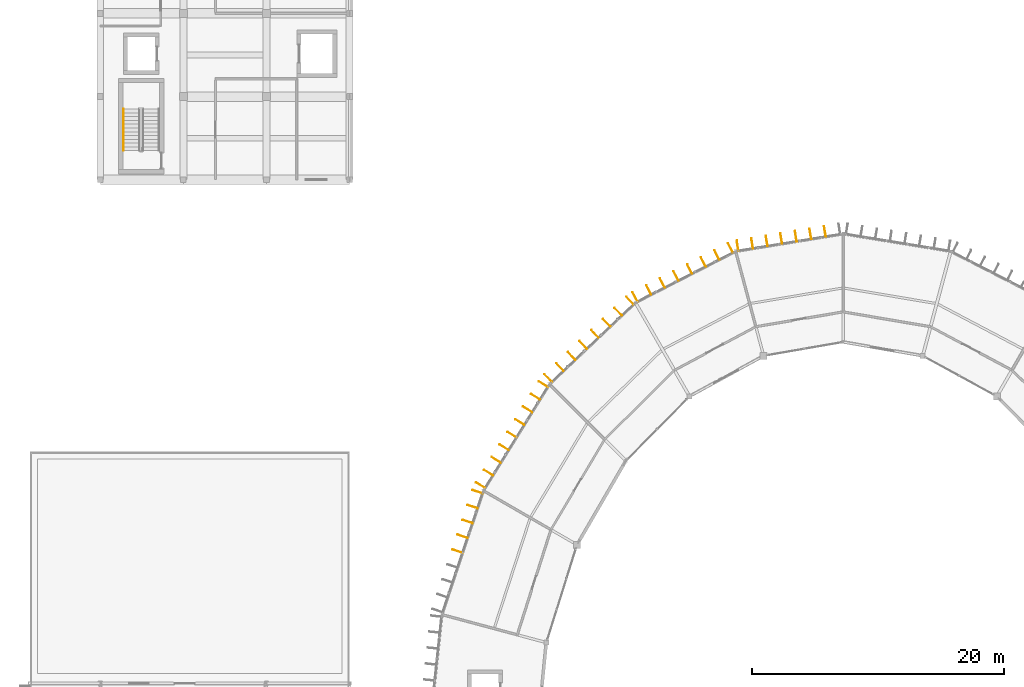
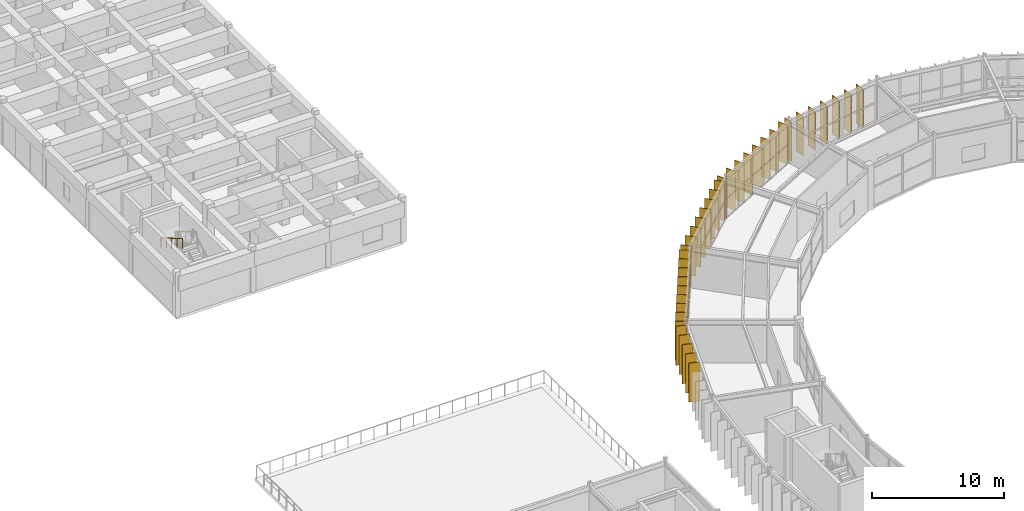
# One storey, part 126 of 130: 37 shading devices, 1 railing.
"""IFC4 building model written with IfcOpenShell, lengths in metres."""

import ifcopenshell
import ifcopenshell.guid

model = None  # the IFC model being written
_history = None  # IfcOwnerHistory: only IFC2X3 demands one
_inside = {}  # id of a spatial element -> (the spatial element, [elements in it])
_under = {}  # id of a project, library or spatial element -> (it, [spatial elements below it])
_declared = {}  # id of a project -> (the project, [libraries it declares])
_typed = {}  # id of a type object -> (the type object, [elements of that type])
_made_of = {}  # id of a material, layer set ... -> (it, [elements and type objects made of it])


def new_model(schema):
    """Start an empty IFC model of exactly this schema.

    Asked for "IFC4X3", IfcOpenShell would pick the latest addendum, in which some entities
    have other attributes; the version numbers below select the first issue.
    IFC2X3 requires an IfcOwnerHistory on every rooted entity: one is made here for all.
    """
    global model, _history
    if schema == "IFC4X3":
        model = ifcopenshell.file(schema_version=(4, 3, 0, 0))
    else:
        model = ifcopenshell.file(schema=schema)
    _inside.clear()
    _under.clear()
    _declared.clear()
    _typed.clear()
    _made_of.clear()
    _history = None
    if model.schema == "IFC2X3":
        org = make("IfcOrganization", Name="unknown")
        user = make(
            "IfcPersonAndOrganization",
            ThePerson=make("IfcPerson", FamilyName="unknown"),
            TheOrganization=org,
        )
        app = make(
            "IfcApplication",
            ApplicationDeveloper=org,
            Version="unknown",
            ApplicationFullName="unknown",
            ApplicationIdentifier="unknown",
        )
        _history = make(
            "IfcOwnerHistory",
            OwningUser=user,
            OwningApplication=app,
            ChangeAction="ADDED",
            CreationDate=0,
        )
    return model


def make(cls, **values):
    """One entity of the class cls with the attributes given. An attribute that is None is left unset."""
    return model.create_entity(
        cls, **{name: value for name, value in values.items() if value is not None}
    )


def rooted(cls, **values):
    """An entity with a GlobalId (a new one), such as an element, a storey or a relation."""
    return make(cls, GlobalId=ifcopenshell.guid.new(), OwnerHistory=_history, **values)


def si_unit(unit_type, name, prefix=None):
    """IfcSIUnit, for example si_unit("LENGTHUNIT", "METRE", prefix="MILLI")."""
    return make("IfcSIUnit", UnitType=unit_type, Prefix=prefix, Name=name)


def assignment(units):
    """IfcUnitAssignment: the units of a project."""
    return None if units is None else make("IfcUnitAssignment", Units=units)


def point(xyz):
    """IfcCartesianPoint."""
    return None if xyz is None else make("IfcCartesianPoint", Coordinates=xyz)


def direction(xyz):
    """IfcDirection."""
    return None if xyz is None else make("IfcDirection", DirectionRatios=xyz)


def frame(location, z_axis=None, x_axis=None):
    """IfcAxis2Placement3D, a coordinate frame: its origin and axes. An axis left out is left unset."""
    return make(
        "IfcAxis2Placement3D",
        Location=point(location),
        Axis=direction(z_axis),
        RefDirection=direction(x_axis),
    )


def frame_2d(location, x_axis=None):
    """IfcAxis2Placement2D, a coordinate frame in the plane: its origin and x axis."""
    return make(
        "IfcAxis2Placement2D", Location=point(location), RefDirection=direction(x_axis)
    )


def origin():
    """The frame at (0, 0, 0) with its axes left unset."""
    return frame((0.0, 0.0, 0.0))


def origin_2d():
    """The frame at (0, 0) in the plane with its x axis left unset."""
    return frame_2d((0.0, 0.0))


def place(relative_to, where):
    """IfcLocalPlacement: puts the frame where relative to a parent placement (None: the world)."""
    return make(
        "IfcLocalPlacement", PlacementRelTo=relative_to, RelativePlacement=where
    )


def context(
    kind, dimensions, precision=None, world=None, true_north=None, identifier=None
):
    """IfcGeometricRepresentationContext, for example the 3D "Model" context."""
    return make(
        "IfcGeometricRepresentationContext",
        ContextIdentifier=identifier,
        ContextType=kind,
        CoordinateSpaceDimension=dimensions,
        Precision=precision,
        WorldCoordinateSystem=world,
        TrueNorth=true_north,
    )


def subcontext(parent, identifier, kind, view, scale=None):
    """IfcGeometricRepresentationSubContext, for example "Body" below "Model"."""
    return make(
        "IfcGeometricRepresentationSubContext",
        ContextIdentifier=identifier,
        ContextType=kind,
        ParentContext=parent,
        TargetScale=scale,
        TargetView=view,
    )


def project(units=None, contexts=None):
    """IfcProject with its units and contexts."""
    return rooted(
        "IfcProject",
        Name="project",
        RepresentationContexts=contexts,
        UnitsInContext=assignment(units),
    )


def spatial(cls, under=None, at=None, **own):
    """A site, building, storey or space (cls), placed at a placement, below another one or the project."""
    s = rooted(cls, ObjectPlacement=at, **own)
    if under is not None:
        _under.setdefault(under.id(), (under, []))[1].append(s)
    return s


def profile(cls, at=None, kind="AREA", **sizes):
    """A parametric profile (cls). Its sizes go by their IFC names, for example OverallWidth=200.0."""
    return make(cls, ProfileType=kind, Position=at, **sizes)


def rectangle(**sizes):
    """IfcRectangleProfileDef."""
    return profile("IfcRectangleProfileDef", **sizes)


def circle(**sizes):
    """IfcCircleProfileDef."""
    return profile("IfcCircleProfileDef", **sizes)


def extrude(swept, where, along, depth):
    """IfcExtrudedAreaSolid: the profile swept, set in the frame where, extruded along a direction by depth."""
    return make(
        "IfcExtrudedAreaSolid",
        SweptArea=swept,
        Position=where,
        ExtrudedDirection=direction(along),
        Depth=depth,
    )


def shape(context_of_items, identifier, shape_type, items):
    """IfcShapeRepresentation: the items that make up one representation, for example the "Body"."""
    return make(
        "IfcShapeRepresentation",
        ContextOfItems=context_of_items,
        RepresentationIdentifier=identifier,
        RepresentationType=shape_type,
        Items=items,
    )


def material(Name=None, Category=None):
    """IfcMaterial."""
    return make("IfcMaterial", Name=Name, Category=Category)


def layer(
    of_material, thickness, ventilated=None, Name=None, Category=None, Priority=None
):
    """IfcMaterialLayer: one layer of a wall or slab, of a material (None: an air gap)."""
    return make(
        "IfcMaterialLayer",
        Material=of_material,
        LayerThickness=thickness,
        IsVentilated=ventilated,
        Name=Name,
        Category=Category,
        Priority=Priority,
    )


def layer_set(layers, Name=None):
    """IfcMaterialLayerSet."""
    return make("IfcMaterialLayerSet", MaterialLayers=layers, LayerSetName=Name)


def made_of(thing, what):
    """Note that an element or type object is made of a material, layer set ...; save() writes the relation."""
    if what is not None:
        _made_of.setdefault(what.id(), (what, []))[1].append(thing)
    return thing


def type_object(cls, material=None, **own):
    """A type object (cls), such as IfcWallType, which elements share."""
    return made_of(rooted(cls, **own), material)


def element(
    cls,
    number,
    at=None,
    inside=None,
    cuts=None,
    type_object=None,
    material=None,
    context=None,
    identifier="Body",
    shape_type=None,
    held_by="IfcProductDefinitionShape",
    body=None,
    shapes=None,
    **own,
):
    """One element of the class cls, such as IfcWall. Its Tag is "e" and its number.

    at: its placement. inside: the storey or other place that contains it. cuts: it is an
    opening in that element (IfcRelVoidsElement). A single representation is given by context,
    identifier, shape_type and body (its items); several are given by shapes. held_by: the class
    of the entity that holds the representations. save() writes the other relations.
    """
    e = rooted(cls, Tag="e%d" % number, ObjectPlacement=at, **own)
    if body is not None:
        shapes = [shape(context, identifier, shape_type, body)]
    if shapes is not None:
        e.Representation = make(held_by, Representations=shapes)
    if inside is not None:
        _inside.setdefault(inside.id(), (inside, []))[1].append(e)
    if cuts is not None:
        rooted(
            "IfcRelVoidsElement", RelatingBuildingElement=cuts, RelatedOpeningElement=e
        )
    if type_object is not None:
        _typed.setdefault(type_object.id(), (type_object, []))[1].append(e)
    return made_of(e, material)


def aggregate(whole, parts):
    """IfcRelAggregates: a whole, such as a stair, and the parts it consists of."""
    return rooted("IfcRelAggregates", RelatingObject=whole, RelatedObjects=parts)


def save(model, path):
    """Write the relations noted so far, then the file.

    IfcRelAggregates (storeys below a building ...), IfcRelContainedInSpatialStructure (elements
    in a storey), IfcRelDefinesByType, IfcRelAssociatesMaterial and IfcRelDeclares: one each for
    every whole, place, type object, material and project.
    """
    for whole, parts in _under.values():
        aggregate(whole, parts)
    for where, things in _inside.values():
        rooted(
            "IfcRelContainedInSpatialStructure",
            RelatedElements=things,
            RelatingStructure=where,
        )
    for kind, things in _typed.values():
        rooted("IfcRelDefinesByType", RelatedObjects=things, RelatingType=kind)
    for what, things in _made_of.values():
        rooted("IfcRelAssociatesMaterial", RelatedObjects=things, RelatingMaterial=what)
    for by, libraries in _declared.values():
        rooted("IfcRelDeclares", RelatingContext=by, RelatedDefinitions=libraries)
    model.write(path)


model = new_model("IFC4")

# Units and contexts
model_context = context("Model", 3, precision=1e-05, world=origin(), true_north=direction((0.0, 1.0)))
body_context = subcontext(model_context, "Body", "Model", "MODEL_VIEW")
ifc_project = project(units=[si_unit("LENGTHUNIT", "METRE"), si_unit("AREAUNIT", "SQUARE_METRE"), si_unit("VOLUMEUNIT", "CUBIC_METRE"), si_unit("PLANEANGLEUNIT", "RADIAN"), si_unit("MASSUNIT", "GRAM", prefix="KILO")], contexts=[model_context])

# Site, building, storey
site_placement = place(None, origin())
site = spatial("IfcSite", under=ifc_project, at=site_placement, CompositionType="ELEMENT")
building_placement = place(site_placement, origin())
building = spatial("IfcBuilding", under=site, at=building_placement, Name="Karori Crest Natural Sciences Institute", CompositionType="ELEMENT")
storey_placement = place(building_placement, frame((0.0, 0.0, 17.5)))
storey = spatial("IfcBuildingStorey", under=building, at=storey_placement, Name="L04", CompositionType="ELEMENT", Elevation=17.5)

# Railing
ifc_material_1 = material(Name="Stainless steel 316 tubular handrail", Category="steel")
railing_type = type_object("IfcRailingType", Name="RLT-HND", PredefinedType="HANDRAIL", material=ifc_material_1)
railing_placement = place(storey_placement, frame((9.25, 100.60009765625, 2.27490234375)))
element("IfcRailing", 1, at=railing_placement, inside=storey, type_object=railing_type, Name="Stair handrail RL-0262", PredefinedType="HANDRAIL", context=body_context, shape_type="SweptSolid", body=[
    extrude(circle(Radius=0.02392578125, at=origin_2d()), frame((0.0, 0.0, 0.90087890625), z_axis=(0.0, -0.863776583165, 0.503874998761), x_axis=(1.0, 0.0, 0.0)), (0.0, 0.0, 1.0), 3.820556640625),
    extrude(circle(Radius=0.02099609375, at=origin_2d()), origin(), (0.0, 0.0, 1.0), 0.876953125),
    extrude(circle(Radius=0.02099609375, at=origin_2d()), frame((0.0, -0.824951171875, 0.481201171875)), (0.0, 0.0, 1.0), 0.876953125),
    extrude(circle(Radius=0.02099609375, at=origin_2d()), frame((0.0, -1.64990234375, 0.96240234375)), (0.0, 0.0, 1.0), 0.876953125),
    extrude(circle(Radius=0.02099609375, at=origin_2d()), frame((0.0, -2.47509765625, 1.44384765625)), (0.0, 0.0, 1.0), 0.876953125),
    extrude(circle(Radius=0.02099609375, at=origin_2d()), frame((0.0, -3.300048828125, 1.925048828125)), (0.0, 0.0, 1.0), 0.876953125),
])

# Shading devices
ifc_material_2 = material(Name="Anodised architectural aluminium 6063-T6", Category="aluminium")
ifc_layer = layer(ifc_material_2, 0.044921875, Name="Anodised architectural aluminium 6063-T6")
ifc_layer_set = layer_set([ifc_layer], Name="Anodised architectural aluminium 6063-T6")
shading_device_type = type_object("IfcShadingDeviceType", Name="SDT-FIN", PredefinedType="USERDEFINED", material=ifc_layer_set)
for number, where, z_axis, x_axis, name in (
    (2, (58.016845703125, 89.7509765625, 0.0), (0.0, 0.0, 1.0), (-0.160649542674, 0.987011511807, 0.0), "Vertical solar fin FN-0664"),
    (3, (59.173095703125, 89.939208984375, 0.0), (0.0, 0.0, 1.0), (-0.160649542674, 0.987011511807, 0.0), "Vertical solar fin FN-0665"),
    (4, (60.3291015625, 90.127197265625, 0.0), (0.0, 0.0, 1.0), (-0.160649542674, 0.987011511807, 0.0), "Vertical solar fin FN-0666"),
    (5, (61.485107421875, 90.3154296875, 0.0), (0.0, 0.0, 1.0), (-0.160649542674, 0.987011511807, 0.0), "Vertical solar fin FN-0667"),
    (6, (62.64111328125, 90.503662109375, 0.0), (0.0, 0.0, 1.0), (-0.160649542674, 0.987011511807, 0.0), "Vertical solar fin FN-0668"),
    (7, (63.79736328125, 90.69189453125, 0.0), (0.0, 0.0, 1.0), (-0.160649542674, 0.987011511807, 0.0), "Vertical solar fin FN-0669"),
    (8, (64.953369140625, 90.8798828125, 0.0), (0.0, 0.0, 1.0), (-0.160649542674, 0.987011511807, 0.0), "Vertical solar fin FN-0670"),
    (9, (49.877197265625, 85.682861328125, 0.0), (0.0, 0.0, 1.0), (-0.455829213737, 0.890067260326, 0.0), "Vertical solar fin FN-0672"),
    (10, (50.960205078125, 86.2373046875, 0.0), (0.0, 0.0, 1.0), (-0.455829213737, 0.890067260326, 0.0), "Vertical solar fin FN-0673"),
    (11, (52.043212890625, 86.7919921875, 0.0), (0.0, 0.0, 1.0), (-0.455829213737, 0.890067260326, 0.0), "Vertical solar fin FN-0674"),
    (12, (53.126220703125, 87.3466796875, 0.0), (0.0, 0.0, 1.0), (-0.455829213737, 0.890067260326, 0.0), "Vertical solar fin FN-0675"),
    (13, (54.208984375, 87.901123046875, 0.0), (0.0, 0.0, 1.0), (-0.455829213737, 0.890067260326, 0.0), "Vertical solar fin FN-0676"),
    (14, (55.2919921875, 88.455810546875, 0.0), (0.0, 0.0, 1.0), (-0.455829213737, 0.890067260326, 0.0), "Vertical solar fin FN-0677"),
    (15, (56.375, 89.010498046875, 0.0), (0.0, 0.0, 1.0), (-0.455829213737, 0.890067260326, 0.0), "Vertical solar fin FN-0678"),
    (16, (57.4580078125, 89.56494140625, 0.0), (0.0, 0.0, 1.0), (-0.455829213737, 0.890067260326, 0.0), "Vertical solar fin FN-0679"),
    (17, (42.982421875, 79.236328125, 0.0), (0.0, 0.0, 1.0), (-0.688250755242, 0.725472878824, 0.0), "Vertical solar fin FN-0680"),
    (18, (43.9091796875, 80.115478515625, 0.0), (0.0, 0.0, 1.0), (-0.688250755242, 0.725472878824, 0.0), "Vertical solar fin FN-0681"),
    (19, (44.8359375, 80.99462890625, 0.0), (0.0, 0.0, 1.0), (-0.688250755242, 0.725472878824, 0.0), "Vertical solar fin FN-0682"),
    (20, (45.7626953125, 81.873779296875, 0.0), (0.0, 0.0, 1.0), (-0.688250755242, 0.725472878824, 0.0), "Vertical solar fin FN-0683"),
    (21, (46.689453125, 82.753173828125, 0.0), (0.0, 0.0, 1.0), (-0.688250755242, 0.725472878824, 0.0), "Vertical solar fin FN-0684"),
    (22, (47.6162109375, 83.63232421875, 0.0), (0.0, 0.0, 1.0), (-0.688250755242, 0.725472878824, 0.0), "Vertical solar fin FN-0685"),
    (23, (48.54296875, 84.51171875, 0.0), (0.0, 0.0, 1.0), (-0.688250755242, 0.725472878824, 0.0), "Vertical solar fin FN-0686"),
    (24, (49.4697265625, 85.390869140625, 0.0), (0.0, 0.0, 1.0), (-0.688250755242, 0.725472878824, 0.0), "Vertical solar fin FN-0687"),
    (25, (37.603515625, 70.7265625, 0.0), (0.0, 0.0, 1.0), (-0.849664524961, 0.527323615081, 0.0), "Vertical solar fin FN-0688"),
    (26, (38.22607421875, 71.729736328125, 0.0), (0.0, 0.0, 1.0), (-0.849664524961, 0.527323615081, 0.0), "Vertical solar fin FN-0689"),
    (27, (38.8486328125, 72.733154296875, 0.0), (0.0, 0.0, 1.0), (-0.849664524961, 0.527323615081, 0.0), "Vertical solar fin FN-0690"),
    (28, (39.471435546875, 73.736328125, 0.0), (0.0, 0.0, 1.0), (-0.849664524961, 0.527323615081, 0.0), "Vertical solar fin FN-0691"),
    (29, (40.093994140625, 74.73974609375, 0.0), (0.0, 0.0, 1.0), (-0.849664524961, 0.527323615081, 0.0), "Vertical solar fin FN-0692"),
    (30, (40.716796875, 75.742919921875, 0.0), (0.0, 0.0, 1.0), (-0.849664524961, 0.527323615081, 0.0), "Vertical solar fin FN-0693"),
    (31, (41.33935546875, 76.746337890625, 0.0), (0.0, 0.0, 1.0), (-0.849664524961, 0.527323615081, 0.0), "Vertical solar fin FN-0694"),
    (32, (41.962158203125, 77.74951171875, 0.0), (0.0, 0.0, 1.0), (-0.849664524961, 0.527323615081, 0.0), "Vertical solar fin FN-0695"),
    (33, (42.584716796875, 78.7529296875, 0.0), (0.0, 0.0, 1.0), (-0.849664524961, 0.527323615081, 0.0), "Vertical solar fin FN-0696"),
    (34, (35.7763671875, 65.487060546875, 0.0), (0.0, 0.0, 1.0), (-0.948197867933, 0.317680347595, 0.0), "Vertical solar fin FN-0701"),
    (35, (36.171875, 66.66796875, 0.0), (0.0, 0.0, 1.0), (-0.948197867933, 0.317680347595, 0.0), "Vertical solar fin FN-0702"),
    (36, (36.567626953125, 67.8486328125, 0.0), (0.0, 0.0, 1.0), (-0.948197867933, 0.317680347595, 0.0), "Vertical solar fin FN-0703"),
    (37, (36.963134765625, 69.029541015625, 0.0), (0.0, 0.0, 1.0), (-0.948197867933, 0.317680347595, 0.0), "Vertical solar fin FN-0704"),
    (38, (37.35888671875, 70.210205078125, 0.0), (0.0, 0.0, 1.0), (-0.948197867933, 0.317680347595, 0.0), "Vertical solar fin FN-0705"),
):
    element("IfcShadingDevice", number, at=place(storey_placement, frame(where, z_axis=z_axis, x_axis=x_axis)), inside=storey, type_object=shading_device_type, Name=name, ObjectType="SOLAR_FIN", PredefinedType="USERDEFINED", context=body_context, shape_type="SweptSolid", body=[
        extrude(rectangle(XDim=0.85009765625, YDim=0.044921875, at=origin_2d()), origin(), (0.0, 0.0, 1.0), 3.625),
    ])

save(model, "model.ifc")
